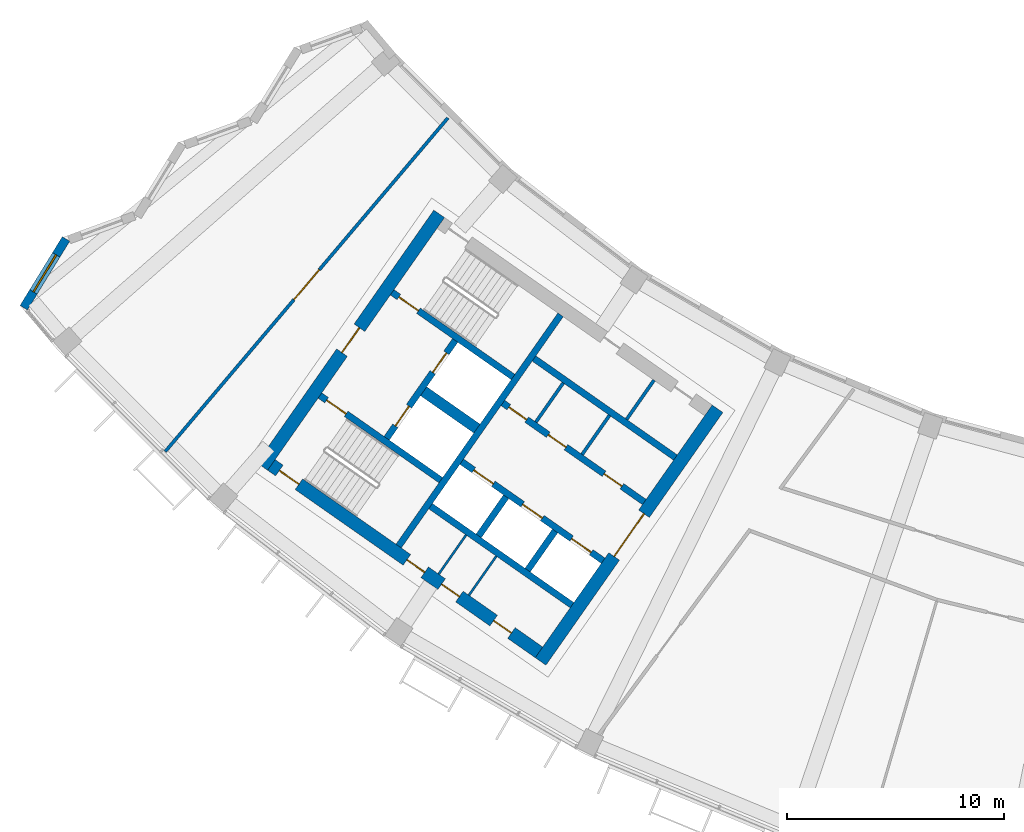
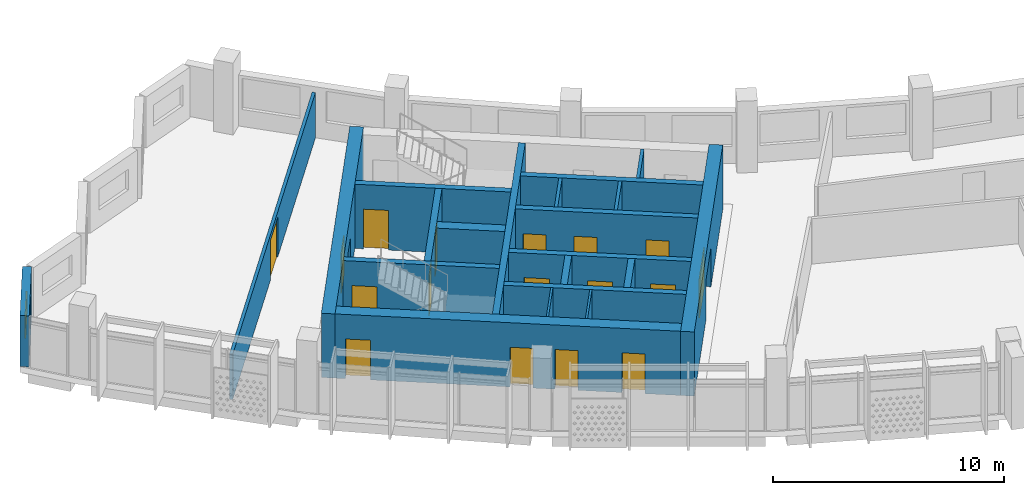
# One storey, part 3 of 27: 21 walls, 17 doors, 1 window, 18 openings.
"""IFC4 building model written with IfcOpenShell, lengths in metres."""

from ifc_helpers import new_model, si_unit, direction, frame, frame_2d, origin, place, context, subcontext, project, spatial, rectangle, extrude, material, layer, layer_set, type_object, element, fill, save


model = new_model("IFC4")

# Units and contexts
model_context = context("Model", 3, precision=1e-05, world=origin(), true_north=direction((0.0, 1.0)))
body_context = subcontext(model_context, "Body", "Model", "MODEL_VIEW")
ifc_project = project(units=[si_unit("LENGTHUNIT", "METRE"), si_unit("AREAUNIT", "SQUARE_METRE"), si_unit("VOLUMEUNIT", "CUBIC_METRE"), si_unit("PLANEANGLEUNIT", "RADIAN"), si_unit("MASSUNIT", "GRAM", prefix="KILO")], contexts=[model_context])

# Site, building, storey
site_placement = place(None, origin())
site = spatial("IfcSite", under=ifc_project, at=site_placement, CompositionType="ELEMENT")
building_placement = place(site_placement, origin())
building = spatial("IfcBuilding", under=site, at=building_placement, Name="Qamariyya Broadcast Tower", CompositionType="ELEMENT")
storey_placement = place(building_placement, frame((0.0, 0.0, 280.89990234375)))
storey = spatial("IfcBuildingStorey", under=building, at=storey_placement, Name="L68", CompositionType="ELEMENT", Elevation=280.89990234375)

# Wall, opening, door
ifc_material_1 = material(Name="Concrete C60/75", Category="concrete")
ifc_layer_1 = layer(ifc_material_1, 0.60009765625)
ifc_layer_set_1 = layer_set([ifc_layer_1], Name="Core wall 600 mm Concrete C60/75")
wall_type_1 = type_object("IfcWallType", Name="Core wall 600 mm Concrete C60/75", PredefinedType="SHEAR", material=ifc_layer_set_1)
wall_1_placement = place(storey_placement, frame((-36.66748046875, -66.005126953125, 0.0), z_axis=(0.0, 0.0, 1.0), x_axis=(0.573568499524, 0.819157601658, 0.0)))
wall_1 = element("IfcWall", 1, at=wall_1_placement, inside=storey, type_object=wall_type_1, Name="k-W-L68-WA", PredefinedType="SHEAR", context=body_context, shape_type="SweptSolid", body=[
    extrude(rectangle(XDim=14.19970703125, YDim=0.60009765625, at=frame_2d((7.099853515625, 0.0))), origin(), (0.0, 0.0, 1.0), 3.400146484375),
])
opening_1_placement = place(wall_1_placement, frame((5.89990234375, 0.0, 0.0)))
opening_1 = element("IfcOpeningElement", 2, at=opening_1_placement, cuts=wall_1, Name="Opening KD3-W1", PredefinedType="OPENING", context=body_context, shape_type="SweptSolid", body=[
    extrude(rectangle(XDim=2.39990234375, YDim=2.10009765625, at=frame_2d((1.199951171875, 1.050048828125))), frame((0.0, 0.31005859375, 0.0), z_axis=(0.0, -1.0, 0.0), x_axis=(1.0, 0.0, 0.0)), (0.0, 0.0, 1.0), 0.6201171875),
])
ifc_material_2 = material(Name="Steel fire-resisting door leaf", Category="steel")
door_type_1 = type_object("IfcDoorType", Name="Lift lobby door KD3", OperationType="DOUBLE_DOOR_SINGLE_SWING", PredefinedType="DOOR", material=ifc_material_2)
door_1_placement = place(opening_1_placement, origin())
door_1 = element("IfcDoor", 3, at=door_1_placement, inside=storey, type_object=door_type_1, Name="k-W-L68-WA-D1", OperationType="DOUBLE_DOOR_SINGLE_SWING", OverallHeight=2.10009765625, OverallWidth=2.39990234375, PredefinedType="DOOR", context=body_context, shape_type="SweptSolid", body=[
    extrude(rectangle(XDim=2.39990234375, YDim=2.10009765625, at=frame_2d((1.199951171875, 1.050048828125))), frame((0.0, 0.02490234375, 0.0), z_axis=(0.0, -1.0, 0.0), x_axis=(1.0, 0.0, 0.0)), (0.0, 0.0, 1.0), 0.050048828125),
])
fill(opening_1, door_1)

wall_2_placement = place(storey_placement, frame((-49.4833984375, -57.031494140625, 0.0), z_axis=(0.0, 0.0, 1.0), x_axis=(0.573560421458, 0.819163257805, 0.0)))
wall_2 = element("IfcWall", 4, at=wall_2_placement, inside=storey, type_object=wall_type_1, Name="k-W-L68-WH", PredefinedType="SHEAR", context=body_context, shape_type="SweptSolid", body=[
    extrude(rectangle(XDim=14.199951171875, YDim=0.60009765625, at=frame_2d((7.10009765625, 0.0))), origin(), (0.0, 0.0, 1.0), 3.400146484375),
])
opening_2_placement = place(wall_2_placement, frame((6.39990234375, 0.0, 0.0)))
opening_2 = element("IfcOpeningElement", 5, at=opening_2_placement, cuts=wall_2, Name="Opening KD2-W1", PredefinedType="OPENING", context=body_context, shape_type="SweptSolid", body=[
    extrude(rectangle(XDim=1.39990234375, YDim=2.10009765625, at=frame_2d((0.699951171875, 1.050048828125))), frame((0.0, 0.31005859375, 0.0), z_axis=(0.0, -1.0, 0.0), x_axis=(1.0, 0.0, 0.0)), (0.0, 0.0, 1.0), 0.6201171875),
])
door_type_2 = type_object("IfcDoorType", Name="Fire-fighting lobby door KD2", OperationType="DOUBLE_DOOR_SINGLE_SWING", PredefinedType="DOOR", material=ifc_material_2)
door_2_placement = place(opening_2_placement, origin())
door_2 = element("IfcDoor", 6, at=door_2_placement, inside=storey, type_object=door_type_2, Name="k-W-L68-WH-D15", OperationType="DOUBLE_DOOR_SINGLE_SWING", OverallHeight=2.10009765625, OverallWidth=1.39990234375, PredefinedType="DOOR", context=body_context, shape_type="SweptSolid", body=[
    extrude(rectangle(XDim=1.39990234375, YDim=2.10009765625, at=frame_2d((0.699951171875, 1.050048828125))), frame((0.0, 0.02490234375, 0.0), z_axis=(0.0, -1.0, 0.0), x_axis=(1.0, 0.0, 0.0)), (0.0, 0.0, 1.0), 0.050048828125),
])
fill(opening_2, door_2)

# Wall, openings, doors
wall_3_placement = place(storey_placement, frame((-36.7412109375, -65.58740234375, 0.0), z_axis=(0.0, 0.0, 1.0), x_axis=(-0.819153391756, 0.573574511963, 0.0)))
wall_3 = element("IfcWall", 7, at=wall_3_placement, inside=storey, type_object=wall_type_1, Name="k-W-L68-WO", PredefinedType="SHEAR", context=body_context, shape_type="SweptSolid", body=[
    extrude(rectangle(XDim=15.04541015625, YDim=0.60009765625, at=frame_2d((7.522705078125, 0.0))), origin(), (0.0, 0.0, 1.0), 3.400146484375),
])
opening_3_placement = place(wall_3_placement, frame((1.550048828125, 0.0, 0.0)))
opening_3 = element("IfcOpeningElement", 8, at=opening_3_placement, cuts=wall_3, Name="Opening KD4-W2", PredefinedType="OPENING", context=body_context, shape_type="SweptSolid", body=[
    extrude(rectangle(XDim=1.0, YDim=2.10009765625, at=frame_2d((0.5, 1.050048828125))), frame((0.0, 0.31005859375, 0.0), z_axis=(0.0, -1.0, 0.0), x_axis=(1.0, 0.0, 0.0)), (0.0, 0.0, 1.0), 0.6201171875),
])
opening_4_placement = place(wall_3_placement, frame((4.47509765625, 0.0, 0.0)))
opening_4 = element("IfcOpeningElement", 9, at=opening_4_placement, cuts=wall_3, Name="Opening KD4-W3", PredefinedType="OPENING", context=body_context, shape_type="SweptSolid", body=[
    extrude(rectangle(XDim=1.0, YDim=2.10009765625, at=frame_2d((0.5, 1.050048828125))), frame((0.0, 0.31005859375, 0.0), z_axis=(0.0, -1.0, 0.0), x_axis=(1.0, 0.0, 0.0)), (0.0, 0.0, 1.0), 0.6201171875),
])
opening_5_placement = place(wall_3_placement, frame((6.425048828125, 0.0, 0.0)))
opening_5 = element("IfcOpeningElement", 10, at=opening_5_placement, cuts=wall_3, Name="Opening KD4-W4", PredefinedType="OPENING", context=body_context, shape_type="SweptSolid", body=[
    extrude(rectangle(XDim=1.0, YDim=2.10009765625, at=frame_2d((0.5, 1.050048828125))), frame((0.0, 0.31005859375, 0.0), z_axis=(0.0, -1.0, 0.0), x_axis=(1.0, 0.0, 0.0)), (0.0, 0.0, 1.0), 0.6201171875),
])
opening_6_placement = place(wall_3_placement, frame((13.495361328125, 0.0, 0.0)))
opening_6 = element("IfcOpeningElement", 11, at=opening_6_placement, cuts=wall_3, Name="Opening KD1-W3", PredefinedType="OPENING", context=body_context, shape_type="SweptSolid", body=[
    extrude(rectangle(XDim=1.10009765625, YDim=2.10009765625, at=frame_2d((0.550048828125, 1.050048828125))), frame((0.0, 0.31005859375, 0.0), z_axis=(0.0, -1.0, 0.0), x_axis=(1.0, 0.0, 0.0)), (0.0, 0.0, 1.0), 0.6201171875),
])
door_type_3 = type_object("IfcDoorType", Name="Riser and plant door KD4", OperationType="SINGLE_SWING_LEFT", PredefinedType="DOOR", material=ifc_material_2)
door_3_placement = place(opening_3_placement, origin())
door_3 = element("IfcDoor", 12, at=door_3_placement, inside=storey, type_object=door_type_3, Name="k-W-L68-WO-D10", OperationType="SINGLE_SWING_LEFT", OverallHeight=2.10009765625, OverallWidth=1.0, PredefinedType="DOOR", context=body_context, shape_type="SweptSolid", body=[
    extrude(rectangle(XDim=1.0, YDim=2.10009765625, at=frame_2d((0.5, 1.050048828125))), frame((0.0, 0.02490234375, 0.0), z_axis=(0.0, -1.0, 0.0), x_axis=(1.0, 0.0, 0.0)), (0.0, 0.0, 1.0), 0.050048828125),
])
fill(opening_3, door_3)
door_4_placement = place(opening_4_placement, origin())
door_4 = element("IfcDoor", 13, at=door_4_placement, inside=storey, type_object=door_type_3, Name="k-W-L68-WO-D11", OperationType="SINGLE_SWING_RIGHT", OverallHeight=2.10009765625, OverallWidth=1.0, PredefinedType="DOOR", context=body_context, shape_type="SweptSolid", body=[
    extrude(rectangle(XDim=1.0, YDim=2.10009765625, at=frame_2d((0.5, 1.050048828125))), frame((0.0, 0.02490234375, 0.0), z_axis=(0.0, -1.0, 0.0), x_axis=(1.0, 0.0, 0.0)), (0.0, 0.0, 1.0), 0.050048828125),
])
fill(opening_4, door_4)
door_5_placement = place(opening_5_placement, origin())
door_5 = element("IfcDoor", 14, at=door_5_placement, inside=storey, type_object=door_type_3, Name="k-W-L68-WO-D12", OperationType="SINGLE_SWING_LEFT", OverallHeight=2.10009765625, OverallWidth=1.0, PredefinedType="DOOR", context=body_context, shape_type="SweptSolid", body=[
    extrude(rectangle(XDim=1.0, YDim=2.10009765625, at=frame_2d((0.5, 1.050048828125))), frame((0.0, 0.02490234375, 0.0), z_axis=(0.0, -1.0, 0.0), x_axis=(1.0, 0.0, 0.0)), (0.0, 0.0, 1.0), 0.050048828125),
])
fill(opening_5, door_5)
door_type_4 = type_object("IfcDoorType", Name="Stair door KD1", OperationType="SINGLE_SWING_LEFT", PredefinedType="DOOR", material=ifc_material_2)
door_6_placement = place(opening_6_placement, origin())
door_6 = element("IfcDoor", 15, at=door_6_placement, inside=storey, type_object=door_type_4, Name="k-W-L68-WO-D18", OperationType="SINGLE_SWING_LEFT", OverallHeight=2.10009765625, OverallWidth=1.10009765625, PredefinedType="DOOR", context=body_context, shape_type="SweptSolid", body=[
    extrude(rectangle(XDim=1.10009765625, YDim=2.10009765625, at=frame_2d((0.550048828125, 1.050048828125))), frame((0.0, 0.02490234375, 0.0), z_axis=(0.0, -1.0, 0.0), x_axis=(1.0, 0.0, 0.0)), (0.0, 0.0, 1.0), 0.050048828125),
])
fill(opening_6, door_6)

# Wall, opening, door
ifc_material_3 = material(Name="Gypsum board partition")
ifc_layer_2 = layer(ifc_material_3, 0.14990234375)
ifc_layer_set_2 = layer_set([ifc_layer_2], Name="Corridor partition 150 EI 60")
wall_type_2 = type_object("IfcWallType", Name="Corridor partition 150 EI 60", PredefinedType="PARTITIONING", material=ifc_layer_set_2)
wall_4_placement = place(storey_placement, frame((-53.946044921875, -56.33837890625, 0.0), z_axis=(0.0, 0.0, 1.0), x_axis=(0.646426079671, 0.76297662056, 0.0)))
wall_4 = element("IfcWall", 16, at=wall_4_placement, inside=storey, type_object=wall_type_2, Name="Partition L68-001", PredefinedType="PARTITIONING", context=body_context, shape_type="SweptSolid", body=[
    extrude(rectangle(XDim=20.1259765625, YDim=0.14990234375, at=frame_2d((10.06298828125, 0.0))), origin(), (0.0, 0.0, 1.0), 2.400146484375),
])
opening_7_placement = place(wall_4_placement, frame((9.1630859375, 0.0, 0.0)))
opening_7 = element("IfcOpeningElement", 17, at=opening_7_placement, cuts=wall_4, Name="Opening L68-D14", PredefinedType="OPENING", context=body_context, shape_type="SweptSolid", body=[
    extrude(rectangle(XDim=1.800048828125, YDim=2.10009765625, at=frame_2d((0.89990234375, 1.050048828125))), frame((0.0, 0.0849609375, 0.0), z_axis=(0.0, -1.0, 0.0), x_axis=(1.0, 0.0, 0.0)), (0.0, 0.0, 1.0), 0.169921875),
])
ifc_material_4 = material(Name="Timber fire door leaf", Category="wood")
door_type_5 = type_object("IfcDoorType", Name="Double fire door 1800 x 2100 FD60", OperationType="NOTDEFINED", PredefinedType="DOOR", material=ifc_material_4)
door_7_placement = place(opening_7_placement, origin())
door_7 = element("IfcDoor", 18, at=door_7_placement, inside=storey, type_object=door_type_5, Name="Door L68-D14", OperationType="DOUBLE_DOOR_SINGLE_SWING", OverallHeight=2.10009765625, OverallWidth=1.800048828125, PredefinedType="DOOR", context=body_context, shape_type="SweptSolid", body=[
    extrude(rectangle(XDim=1.800048828125, YDim=2.10009765625, at=frame_2d((0.89990234375, 1.050048828125))), frame((0.0, 0.02490234375, 0.0), z_axis=(0.0, -1.0, 0.0), x_axis=(1.0, 0.0, 0.0)), (0.0, 0.0, 1.0), 0.050048828125),
])
fill(opening_7, door_7)

# Walls
ifc_layer_3 = layer(ifc_material_1, 0.5)
ifc_layer_set_3 = layer_set([ifc_layer_3], Name="Fire-fighting lobby divider wall 500 mm Concrete C60/75")
wall_type_3 = type_object("IfcWallType", Name="Fire-fighting lobby divider wall 500 mm Concrete C60/75", PredefinedType="SOLIDWALL", material=ifc_layer_set_3)
wall_5_placement = place(storey_placement, frame((-39.59912109375, -55.28515625, 0.0), z_axis=(0.0, 0.0, 1.0), x_axis=(-0.819136323161, 0.573598887793, 0.0)))
element("IfcWall", 19, at=wall_5_placement, inside=storey, type_object=wall_type_3, Name="k-W-L68-FD", PredefinedType="SOLIDWALL", context=body_context, shape_type="SweptSolid", body=[
    extrude(rectangle(XDim=2.999755859375, YDim=0.5, at=frame_2d((1.5, 0.0))), origin(), (0.0, 0.0, 1.0), 3.400146484375),
])
ifc_material_5 = material(Name="Gypsum board partition on steel studs", Category="steel")
ifc_layer_4 = layer(ifc_material_5, 0.14990234375)
ifc_layer_set_4 = layer_set([ifc_layer_4], Name="Gypsum board partition 150 mm")
wall_type_4 = type_object("IfcWallType", Name="Gypsum board partition 150 mm", PredefinedType="PARTITIONING", material=ifc_layer_set_4)
for number, where, z_axis, x_axis, name in (
    (20, (-34.757568359375, -56.477783203125, 0.0), (0.0, 0.0, 1.0), (0.573633636671, 0.819111989218, 0.0), "k-W-L68-NC360"),
    (21, (-36.88720703125, -54.986572265625, 0.0), (0.0, 0.0, 1.0), (0.573507030513, 0.819200638399, 0.0), "k-W-L68-NC620"),
    (22, (-32.709228515625, -54.860107421875, 0.0), (0.0, 0.0, 1.0), (0.573633636671, 0.819111989218, 0.0), "k-W-L68-NP285"),
):
    element("IfcWall", number, at=place(storey_placement, frame(where, z_axis=z_axis, x_axis=x_axis)), inside=storey, type_object=wall_type_4, Name=name, PredefinedType="PARTITIONING", context=body_context, shape_type="SweptSolid", body=[
        extrude(rectangle(XDim=2.199951171875, YDim=0.14990234375, at=frame_2d((1.10009765625, 0.0))), origin(), (0.0, 0.0, 1.0), 3.400146484375),
    ])
ifc_layer_5 = layer(ifc_material_1, 0.300048828125)
ifc_layer_set_5 = layer_set([ifc_layer_5], Name="Lift shaft wall 300 mm Concrete C60/75")
wall_type_5 = type_object("IfcWallType", Name="Lift shaft wall 300 mm Concrete C60/75", PredefinedType="SOLIDWALL", material=ifc_layer_set_5)
wall_6_placement = place(storey_placement, frame((-43.204345703125, -60.69580078125, 0.0), z_axis=(0.0, 0.0, 1.0), x_axis=(0.573571992966, 0.819155155563, 0.0)))
element("IfcWall", 23, at=wall_6_placement, inside=storey, type_object=wall_type_5, Name="k-W-L68-WL", PredefinedType="SOLIDWALL", context=body_context, shape_type="SweptSolid", body=[
    extrude(rectangle(XDim=13.000244140625, YDim=0.300048828125, at=frame_2d((6.5, 0.0))), origin(), (0.0, 0.0, 1.0), 3.400146484375),
])

# Wall, openings, doors
wall_7_placement = place(storey_placement, frame((-31.89453125, -58.66552734375, 0.0), z_axis=(0.0, 0.0, 1.0), x_axis=(-0.819166993208, 0.573555086491, 0.0)))
wall_7 = element("IfcWall", 24, at=wall_7_placement, inside=storey, type_object=wall_type_5, Name="k-W-L68-NF0", PredefinedType="SOLIDWALL", context=body_context, shape_type="SweptSolid", body=[
    extrude(rectangle(XDim=7.9501953125, YDim=0.300048828125, at=frame_2d((3.97509765625, 0.0))), origin(), (0.0, 0.0, 1.0), 3.400146484375),
])
opening_8_placement = place(wall_7_placement, frame((1.262451171875, 0.0, 0.0)))
opening_8 = element("IfcOpeningElement", 25, at=opening_8_placement, cuts=wall_7, Name="Opening KD4-W1", PredefinedType="OPENING", context=body_context, shape_type="SweptSolid", body=[
    extrude(rectangle(XDim=1.0, YDim=2.10009765625, at=frame_2d((0.5, 1.050048828125))), frame((0.0, 0.159912109375, 0.0), z_axis=(0.0, -1.0, 0.0), x_axis=(1.0, 0.0, 0.0)), (0.0, 0.0, 1.0), 0.320068359375),
])
opening_9_placement = place(wall_7_placement, frame((4.39990234375, 0.0, 0.0)))
opening_9 = element("IfcOpeningElement", 26, at=opening_9_placement, cuts=wall_7, Name="Opening KD6-W1", PredefinedType="OPENING", context=body_context, shape_type="SweptSolid", body=[
    extrude(rectangle(XDim=1.0, YDim=2.10009765625, at=frame_2d((0.5, 1.050048828125))), frame((0.0, 0.159912109375, 0.0), z_axis=(0.0, -1.0, 0.0), x_axis=(1.0, 0.0, 0.0)), (0.0, 0.0, 1.0), 0.320068359375),
])
opening_10_placement = place(wall_7_placement, frame((6.612548828125, 0.0, 0.0)))
opening_10 = element("IfcOpeningElement", 27, at=opening_10_placement, cuts=wall_7, Name="Opening KD6-W2", PredefinedType="OPENING", context=body_context, shape_type="SweptSolid", body=[
    extrude(rectangle(XDim=1.0, YDim=2.10009765625, at=frame_2d((0.5, 1.050048828125))), frame((0.0, 0.159912109375, 0.0), z_axis=(0.0, -1.0, 0.0), x_axis=(1.0, 0.0, 0.0)), (0.0, 0.0, 1.0), 0.320068359375),
])
door_type_6 = type_object("IfcDoorType", Name="Core room door KD6", OperationType="SINGLE_SWING_LEFT", PredefinedType="DOOR", material=ifc_material_2)
door_8_placement = place(opening_9_placement, origin())
door_8 = element("IfcDoor", 28, at=door_8_placement, inside=storey, type_object=door_type_6, Name="k-W-L68-NF0-D3", OperationType="SINGLE_SWING_RIGHT", OverallHeight=2.10009765625, OverallWidth=1.0, PredefinedType="DOOR", context=body_context, shape_type="SweptSolid", body=[
    extrude(rectangle(XDim=1.0, YDim=2.10009765625, at=frame_2d((0.5, 1.050048828125))), frame((0.0, 0.02490234375, 0.0), z_axis=(0.0, -1.0, 0.0), x_axis=(1.0, 0.0, 0.0)), (0.0, 0.0, 1.0), 0.050048828125),
])
fill(opening_9, door_8)
door_9_placement = place(opening_10_placement, origin())
door_9 = element("IfcDoor", 29, at=door_9_placement, inside=storey, type_object=door_type_6, Name="k-W-L68-NF0-D4", OperationType="SINGLE_SWING_LEFT", OverallHeight=2.10009765625, OverallWidth=1.0, PredefinedType="DOOR", context=body_context, shape_type="SweptSolid", body=[
    extrude(rectangle(XDim=1.0, YDim=2.10009765625, at=frame_2d((0.5, 1.050048828125))), frame((0.0, 0.02490234375, 0.0), z_axis=(0.0, -1.0, 0.0), x_axis=(1.0, 0.0, 0.0)), (0.0, 0.0, 1.0), 0.050048828125),
])
fill(opening_10, door_9)
door_10_placement = place(opening_8_placement, origin())
door_10 = element("IfcDoor", 30, at=door_10_placement, inside=storey, type_object=door_type_3, Name="k-W-L68-NF0-D2", OperationType="SINGLE_SWING_LEFT", OverallHeight=2.10009765625, OverallWidth=1.0, PredefinedType="DOOR", context=body_context, shape_type="SweptSolid", body=[
    extrude(rectangle(XDim=1.0, YDim=2.10009765625, at=frame_2d((0.5, 1.050048828125))), frame((0.0, 0.02490234375, 0.0), z_axis=(0.0, -1.0, 0.0), x_axis=(1.0, 0.0, 0.0)), (0.0, 0.0, 1.0), 0.050048828125),
])
fill(opening_8, door_10)

# Wall
wall_8_placement = place(storey_placement, frame((-30.460693359375, -56.61767578125, 0.0), z_axis=(0.0, 0.0, 1.0), x_axis=(-0.819142461705, 0.573590121456, 0.0)))
element("IfcWall", 31, at=wall_8_placement, inside=storey, type_object=wall_type_5, Name="k-W-L68-NB0", PredefinedType="SOLIDWALL", context=body_context, shape_type="SweptSolid", body=[
    extrude(rectangle(XDim=7.949951171875, YDim=0.300048828125, at=frame_2d((3.97509765625, 0.0))), origin(), (0.0, 0.0, 1.0), 3.400146484375),
])

# Wall, openings, doors
wall_9_placement = place(storey_placement, frame((-33.787353515625, -61.368896484375, 0.0), z_axis=(0.0, 0.0, 1.0), x_axis=(-0.819152564888, 0.573575692858, 0.0)))
wall_9 = element("IfcWall", 32, at=wall_9_placement, inside=storey, type_object=wall_type_5, Name="k-W-L68-SF0", PredefinedType="SOLIDWALL", context=body_context, shape_type="SweptSolid", body=[
    extrude(rectangle(XDim=7.9501953125, YDim=0.300048828125, at=frame_2d((3.97509765625, 0.0))), origin(), (0.0, 0.0, 1.0), 3.400146484375),
])
opening_11_placement = place(wall_9_placement, frame((0.675048828125, 0.0, 0.0)))
opening_11 = element("IfcOpeningElement", 33, at=opening_11_placement, cuts=wall_9, Name="Opening LD", PredefinedType="OPENING", context=body_context, shape_type="SweptSolid", body=[
    extrude(rectangle(XDim=1.10009765625, YDim=2.10009765625, at=frame_2d((0.550048828125, 1.050048828125))), frame((0.0, 0.159912109375, 0.0), z_axis=(0.0, -1.0, 0.0), x_axis=(1.0, 0.0, 0.0)), (0.0, 0.0, 1.0), 0.320068359375),
])
opening_12_placement = place(wall_9_placement, frame((3.425048828125, 0.0, 0.0)))
opening_12 = element("IfcOpeningElement", 34, at=opening_12_placement, cuts=wall_9, Name="Opening LD", PredefinedType="OPENING", context=body_context, shape_type="SweptSolid", body=[
    extrude(rectangle(XDim=1.10009765625, YDim=2.10009765625, at=frame_2d((0.550048828125, 1.050048828125))), frame((0.0, 0.159912109375, 0.0), z_axis=(0.0, -1.0, 0.0), x_axis=(1.0, 0.0, 0.0)), (0.0, 0.0, 1.0), 0.320068359375),
])
opening_13_placement = place(wall_9_placement, frame((6.175048828125, 0.0, 0.0)))
opening_13 = element("IfcOpeningElement", 35, at=opening_13_placement, cuts=wall_9, Name="Opening LD", PredefinedType="OPENING", context=body_context, shape_type="SweptSolid", body=[
    extrude(rectangle(XDim=1.10009765625, YDim=2.10009765625, at=frame_2d((0.550048828125, 1.050048828125))), frame((0.0, 0.159912109375, 0.0), z_axis=(0.0, -1.0, 0.0), x_axis=(1.0, 0.0, 0.0)), (0.0, 0.0, 1.0), 0.320068359375),
])
door_type_7 = type_object("IfcDoorType", Name="Lift landing door LD", OperationType="DOUBLE_DOOR_SLIDING", PredefinedType="DOOR", material=ifc_material_2)
door_11_placement = place(opening_11_placement, origin())
door_11 = element("IfcDoor", 36, at=door_11_placement, inside=storey, type_object=door_type_7, Name="k-W-L68-SF0-D5", OperationType="DOUBLE_DOOR_SLIDING", OverallHeight=2.10009765625, OverallWidth=1.10009765625, PredefinedType="DOOR", context=body_context, shape_type="SweptSolid", body=[
    extrude(rectangle(XDim=1.10009765625, YDim=2.10009765625, at=frame_2d((0.550048828125, 1.050048828125))), frame((0.0, 0.02490234375, 0.0), z_axis=(0.0, -1.0, 0.0), x_axis=(1.0, 0.0, 0.0)), (0.0, 0.0, 1.0), 0.050048828125),
])
fill(opening_11, door_11)
door_12_placement = place(opening_12_placement, origin())
door_12 = element("IfcDoor", 37, at=door_12_placement, inside=storey, type_object=door_type_7, Name="k-W-L68-SF0-D6", OperationType="DOUBLE_DOOR_SLIDING", OverallHeight=2.10009765625, OverallWidth=1.10009765625, PredefinedType="DOOR", context=body_context, shape_type="SweptSolid", body=[
    extrude(rectangle(XDim=1.10009765625, YDim=2.10009765625, at=frame_2d((0.550048828125, 1.050048828125))), frame((0.0, 0.02490234375, 0.0), z_axis=(0.0, -1.0, 0.0), x_axis=(1.0, 0.0, 0.0)), (0.0, 0.0, 1.0), 0.050048828125),
])
fill(opening_12, door_12)
door_13_placement = place(opening_13_placement, origin())
door_13 = element("IfcDoor", 38, at=door_13_placement, inside=storey, type_object=door_type_7, Name="k-W-L68-SF0-D7", OperationType="DOUBLE_DOOR_SLIDING", OverallHeight=2.10009765625, OverallWidth=1.10009765625, PredefinedType="DOOR", context=body_context, shape_type="SweptSolid", body=[
    extrude(rectangle(XDim=1.10009765625, YDim=2.10009765625, at=frame_2d((0.550048828125, 1.050048828125))), frame((0.0, 0.02490234375, 0.0), z_axis=(0.0, -1.0, 0.0), x_axis=(1.0, 0.0, 0.0)), (0.0, 0.0, 1.0), 0.050048828125),
])
fill(opening_13, door_13)

# Walls
wall_10_placement = place(storey_placement, frame((-35.22119140625, -63.41650390625, 0.0), z_axis=(0.0, 0.0, 1.0), x_axis=(-0.819166993208, 0.573555086491, 0.0)))
element("IfcWall", 39, at=wall_10_placement, inside=storey, type_object=wall_type_5, Name="k-W-L68-SB0", PredefinedType="SOLIDWALL", context=body_context, shape_type="SweptSolid", body=[
    extrude(rectangle(XDim=7.9501953125, YDim=0.300048828125, at=frame_2d((3.97509765625, 0.0))), origin(), (0.0, 0.0, 1.0), 3.400146484375),
])
wall_11_placement = place(storey_placement, frame((-36.003173828125, -60.000244140625, 0.0), z_axis=(0.0, 0.0, 1.0), x_axis=(-0.573581496053, -0.819148501424, 0.0)))
element("IfcWall", 40, at=wall_11_placement, inside=storey, type_object=wall_type_5, Name="k-W-L68-SD0", PredefinedType="SOLIDWALL", context=body_context, shape_type="SweptSolid", body=[
    extrude(rectangle(XDim=2.2001953125, YDim=0.300048828125, at=frame_2d((1.10009765625, 0.0))), origin(), (0.0, 0.0, 1.0), 3.400146484375),
])
wall_12_placement = place(storey_placement, frame((-38.255859375, -58.423095703125, 0.0), z_axis=(0.0, 0.0, 1.0), x_axis=(-0.573633636671, -0.819111989218, 0.0)))
element("IfcWall", 41, at=wall_12_placement, inside=storey, type_object=wall_type_5, Name="k-W-L68-SD1", PredefinedType="SOLIDWALL", context=body_context, shape_type="SweptSolid", body=[
    extrude(rectangle(XDim=2.199951171875, YDim=0.300048828125, at=frame_2d((1.10009765625, 0.0))), origin(), (0.0, 0.0, 1.0), 3.400146484375),
])

# Wall, opening, door
wall_13_placement = place(storey_placement, frame((-37.935546875, -52.90966796875, 0.0), z_axis=(0.0, 0.0, 1.0), x_axis=(-0.819147518138, 0.57358290031, 0.0)))
wall_13 = element("IfcWall", 42, at=wall_13_placement, inside=storey, type_object=wall_type_5, Name="k-W-L68-NW", PredefinedType="SOLIDWALL", context=body_context, shape_type="SweptSolid", body=[
    extrude(rectangle(XDim=6.79541015625, YDim=0.300048828125, at=frame_2d((3.397705078125, 0.0))), origin(), (0.0, 0.0, 1.0), 3.400146484375),
])
opening_14_placement = place(wall_13_placement, frame((5.3203125, 0.0, 0.0)))
opening_14 = element("IfcOpeningElement", 43, at=opening_14_placement, cuts=wall_13, Name="Opening KD1-W2", PredefinedType="OPENING", context=body_context, shape_type="SweptSolid", body=[
    extrude(rectangle(XDim=1.10009765625, YDim=2.10009765625, at=frame_2d((0.550048828125, 1.050048828125))), frame((0.0, 0.159912109375, 0.0), z_axis=(0.0, -1.0, 0.0), x_axis=(1.0, 0.0, 0.0)), (0.0, 0.0, 1.0), 0.320068359375),
])
door_14_placement = place(opening_14_placement, origin())
door_14 = element("IfcDoor", 44, at=door_14_placement, inside=storey, type_object=door_type_4, Name="k-W-L68-NW-D17", OperationType="SINGLE_SWING_RIGHT", OverallHeight=2.10009765625, OverallWidth=1.10009765625, PredefinedType="DOOR", context=body_context, shape_type="SweptSolid", body=[
    extrude(rectangle(XDim=1.10009765625, YDim=2.10009765625, at=frame_2d((0.550048828125, 1.050048828125))), frame((0.0, 0.02490234375, 0.0), z_axis=(0.0, -1.0, 0.0), x_axis=(1.0, 0.0, 0.0)), (0.0, 0.0, 1.0), 0.050048828125),
])
fill(opening_14, door_14)

wall_14_placement = place(storey_placement, frame((-41.262451171875, -57.66064453125, 0.0), z_axis=(0.0, 0.0, 1.0), x_axis=(-0.819164398642, 0.573558792102, 0.0)))
wall_14 = element("IfcWall", 45, at=wall_14_placement, inside=storey, type_object=wall_type_5, Name="k-W-L68-SW", PredefinedType="SOLIDWALL", context=body_context, shape_type="SweptSolid", body=[
    extrude(rectangle(XDim=6.795166015625, YDim=0.300048828125, at=frame_2d((3.3974609375, 0.0))), origin(), (0.0, 0.0, 1.0), 3.400146484375),
])
opening_15_placement = place(wall_14_placement, frame((5.3203125, 0.0, 0.0)))
opening_15 = element("IfcOpeningElement", 46, at=opening_15_placement, cuts=wall_14, Name="Opening KD1-W4", PredefinedType="OPENING", context=body_context, shape_type="SweptSolid", body=[
    extrude(rectangle(XDim=1.10009765625, YDim=2.10009765625, at=frame_2d((0.550048828125, 1.050048828125))), frame((0.0, 0.159912109375, 0.0), z_axis=(0.0, -1.0, 0.0), x_axis=(1.0, 0.0, 0.0)), (0.0, 0.0, 1.0), 0.320068359375),
])
door_15_placement = place(opening_15_placement, origin())
door_15 = element("IfcDoor", 47, at=door_15_placement, inside=storey, type_object=door_type_4, Name="k-W-L68-SW-D19", OperationType="SINGLE_SWING_RIGHT", OverallHeight=2.10009765625, OverallWidth=1.10009765625, PredefinedType="DOOR", context=body_context, shape_type="SweptSolid", body=[
    extrude(rectangle(XDim=1.10009765625, YDim=2.10009765625, at=frame_2d((0.550048828125, 1.050048828125))), frame((0.0, 0.02490234375, 0.0), z_axis=(0.0, -1.0, 0.0), x_axis=(1.0, 0.0, 0.0)), (0.0, 0.0, 1.0), 0.050048828125),
])
fill(opening_15, door_15)

# Wall, openings, doors
wall_15_placement = place(storey_placement, frame((-43.756591796875, -55.731201171875, 0.0), z_axis=(0.0, 0.0, 1.0), x_axis=(0.573536818435, 0.819179783625, 0.0)))
wall_15 = element("IfcWall", 48, at=wall_15_placement, inside=storey, type_object=wall_type_5, Name="k-W-L68-FF", PredefinedType="SOLIDWALL", context=body_context, shape_type="SweptSolid", body=[
    extrude(rectangle(XDim=5.500244140625, YDim=0.300048828125, at=frame_2d((2.75, 0.0))), origin(), (0.0, 0.0, 1.0), 3.400146484375),
])
opening_16_placement = place(wall_15_placement, frame((0.699951171875, 0.0, 0.0)))
opening_16 = element("IfcOpeningElement", 49, at=opening_16_placement, cuts=wall_15, Name="Opening LD", PredefinedType="OPENING", context=body_context, shape_type="SweptSolid", body=[
    extrude(rectangle(XDim=1.10009765625, YDim=2.10009765625, at=frame_2d((0.550048828125, 1.050048828125))), frame((0.0, 0.159912109375, 0.0), z_axis=(0.0, -1.0, 0.0), x_axis=(1.0, 0.0, 0.0)), (0.0, 0.0, 1.0), 0.320068359375),
])
opening_17_placement = place(wall_15_placement, frame((3.699951171875, 0.0, 0.0)))
opening_17 = element("IfcOpeningElement", 50, at=opening_17_placement, cuts=wall_15, Name="Opening LD", PredefinedType="OPENING", context=body_context, shape_type="SweptSolid", body=[
    extrude(rectangle(XDim=1.10009765625, YDim=2.10009765625, at=frame_2d((0.550048828125, 1.050048828125))), frame((0.0, 0.159912109375, 0.0), z_axis=(0.0, -1.0, 0.0), x_axis=(1.0, 0.0, 0.0)), (0.0, 0.0, 1.0), 0.320068359375),
])
door_16_placement = place(opening_16_placement, origin())
door_16 = element("IfcDoor", 51, at=door_16_placement, inside=storey, type_object=door_type_7, Name="k-W-L68-FF-D13", OperationType="DOUBLE_DOOR_SLIDING", OverallHeight=2.10009765625, OverallWidth=1.10009765625, PredefinedType="DOOR", context=body_context, shape_type="SweptSolid", body=[
    extrude(rectangle(XDim=1.10009765625, YDim=2.10009765625, at=frame_2d((0.550048828125, 1.050048828125))), frame((0.0, 0.02490234375, 0.0), z_axis=(0.0, -1.0, 0.0), x_axis=(1.0, 0.0, 0.0)), (0.0, 0.0, 1.0), 0.050048828125),
])
fill(opening_16, door_16)
door_17_placement = place(opening_17_placement, origin())
door_17 = element("IfcDoor", 52, at=door_17_placement, inside=storey, type_object=door_type_7, Name="k-W-L68-FF-D14", OperationType="DOUBLE_DOOR_SLIDING", OverallHeight=2.10009765625, OverallWidth=1.10009765625, PredefinedType="DOOR", context=body_context, shape_type="SweptSolid", body=[
    extrude(rectangle(XDim=1.10009765625, YDim=2.10009765625, at=frame_2d((0.550048828125, 1.050048828125))), frame((0.0, 0.02490234375, 0.0), z_axis=(0.0, -1.0, 0.0), x_axis=(1.0, 0.0, 0.0)), (0.0, 0.0, 1.0), 0.050048828125),
])
fill(opening_17, door_17)

# Walls
ifc_material_6 = material(Name="Fire-rated gypsum shaft liner on steel studs", Category="steel")
ifc_layer_6 = layer(ifc_material_6, 0.10009765625)
ifc_layer_set_6 = layer_set([ifc_layer_6], Name="Riser wall 100 mm")
wall_type_6 = type_object("IfcWallType", Name="Riser wall 100 mm", PredefinedType="PLUMBINGWALL", material=ifc_layer_set_6)
for number, where, z_axis, x_axis, name in (
    (53, (-38.706787109375, -61.1591796875, 0.0), (0.0, 0.0, 1.0), (-0.573633636671, -0.819111989218, 0.0), "k-W-L68-SP415"),
    (54, (-40.099365234375, -60.18408203125, 0.0), (0.0, 0.0, 1.0), (-0.573633636671, -0.819111989218, 0.0), "k-W-L68-SP585"),
):
    element("IfcWall", number, at=place(storey_placement, frame(where, z_axis=z_axis, x_axis=x_axis)), inside=storey, type_object=wall_type_6, Name=name, PredefinedType="PLUMBINGWALL", context=body_context, shape_type="SweptSolid", body=[
        extrude(rectangle(XDim=2.199951171875, YDim=0.10009765625, at=frame_2d((1.10009765625, 0.0))), origin(), (0.0, 0.0, 1.0), 3.400146484375),
    ])

# Wall, opening, window
ifc_material_7 = material(Name="Terracotta", Category="masonry")
ifc_layer_7 = layer(ifc_material_7, 0.39990234375)
ifc_layer_set_7 = layer_set([ifc_layer_7], Name="Terracotta clad wall 400")
wall_type_7 = type_object("IfcWallType", Name="Terracotta clad wall 400", PredefinedType="SOLIDWALL", material=ifc_layer_set_7)
wall_16_placement = place(storey_placement, frame((-58.5205078125, -46.554443359375, 0.0), z_axis=(0.0, 0.0, 1.0), x_axis=(-0.523679646014, -0.851915270641, 0.0)))
wall_16 = element("IfcWall", 55, at=wall_16_placement, inside=storey, type_object=wall_type_7, Name="e-wl-L68-capW5", PredefinedType="SOLIDWALL", context=body_context, shape_type="SweptSolid", body=[
    extrude(rectangle(XDim=3.717529296875, YDim=0.39990234375, at=frame_2d((1.85888671875, 0.0))), origin(), (0.0, 0.0, 1.0), 2.7001953125),
])
opening_18_placement = place(wall_16_placement, frame((0.858642578125, 0.0, 0.89990234375)))
opening_18 = element("IfcOpeningElement", 56, at=opening_18_placement, cuts=wall_16, Name="Opening W4", PredefinedType="OPENING", context=body_context, shape_type="SweptSolid", body=[
    extrude(rectangle(XDim=2.0, YDim=1.10009765625, at=frame_2d((1.0, 0.550048828125))), frame((0.0, 0.2099609375, 0.0), z_axis=(0.0, -1.0, 0.0), x_axis=(1.0, 0.0, 0.0)), (0.0, 0.0, 1.0), 0.419921875),
])
ifc_material_8 = material(Name="Clear low-e double glazed unit in aluminium frame", Category="aluminium")
window_type = type_object("IfcWindowType", Name="Horn bay window 2000 x 1100", PartitioningType="SINGLE_PANEL", PredefinedType="WINDOW", material=ifc_material_8)
window_placement = place(opening_18_placement, origin())
window = element("IfcWindow", 57, at=window_placement, inside=storey, type_object=window_type, Name="e-w-L68-capW5", OverallHeight=1.10009765625, OverallWidth=2.0, PartitioningType="SINGLE_PANEL", PredefinedType="WINDOW", context=body_context, shape_type="SweptSolid", body=[
    extrude(rectangle(XDim=2.0, YDim=1.10009765625, at=frame_2d((1.0, 0.550048828125))), frame((0.0, 0.030029296875, 0.0), z_axis=(0.0, -1.0, 0.0), x_axis=(1.0, 0.0, 0.0)), (0.0, 0.0, 1.0), 0.06005859375),
])
fill(opening_18, window)

save(model, "model.ifc")
